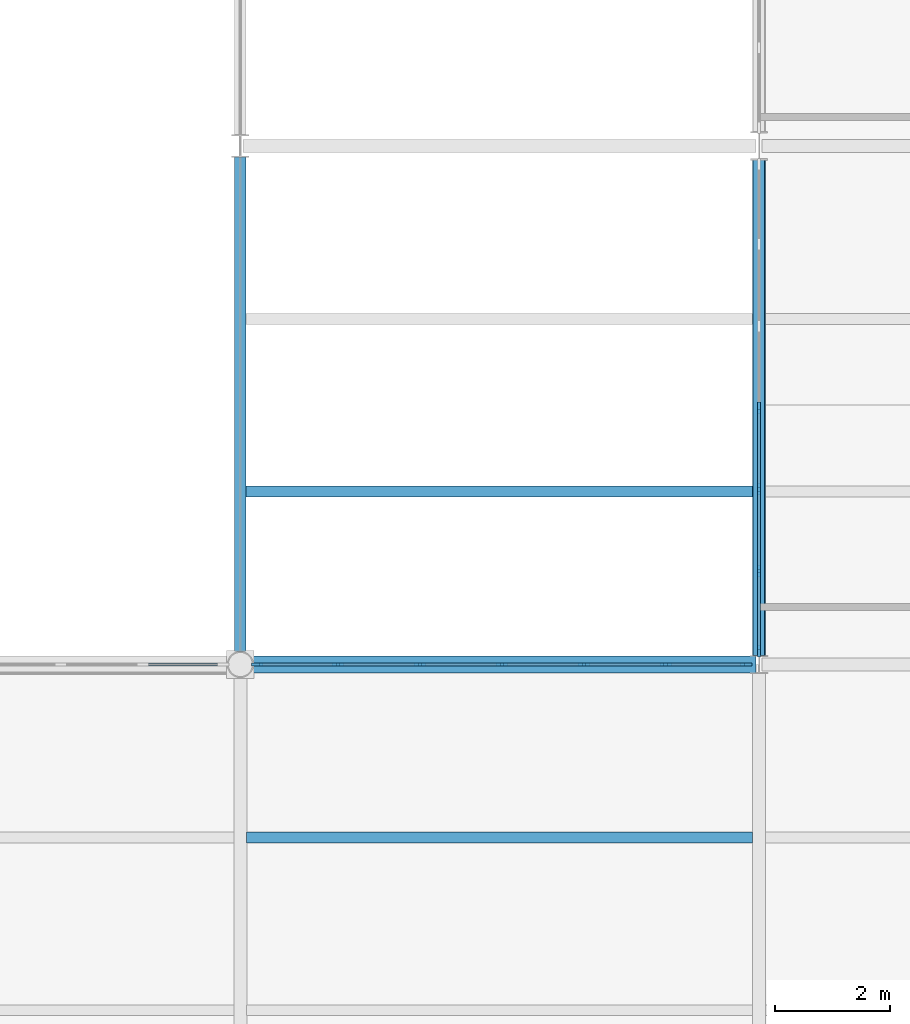
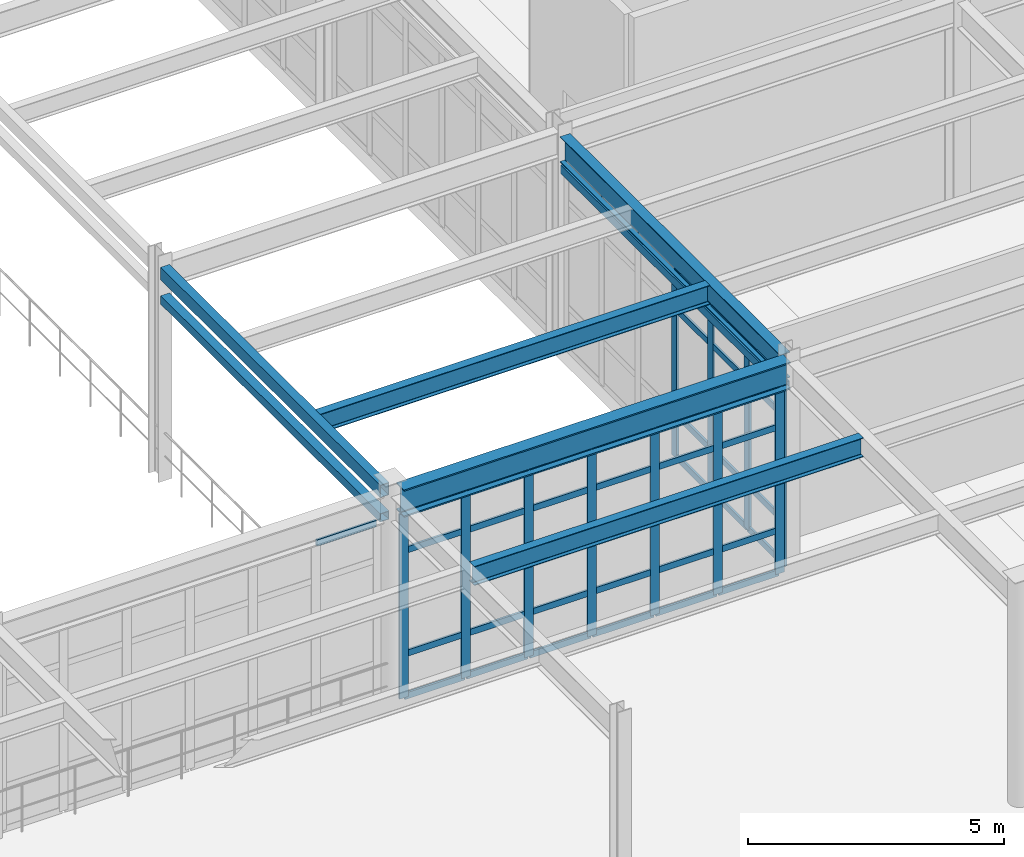
# One storey, part 26 of 79: 48 members, 7 beams, 3 elements without a shape of their own.
"""IFC4 building model written with IfcOpenShell, lengths in metres."""

from ifc_helpers import new_model, si_unit, direction, frame, origin, origin_2d, place, context, subcontext, project, spatial, rectangle, hollow_rectangle, i_section, extrude, material, material_profile, profile_set, type_object, element, aggregate, save


model = new_model("IFC4")

# Units and contexts
model_context = context("Model", 3, precision=1e-05, world=origin(), true_north=direction((0.0, 1.0)))
body_context = subcontext(model_context, "Body", "Model", "MODEL_VIEW")
ifc_project = project(units=[si_unit("LENGTHUNIT", "METRE"), si_unit("AREAUNIT", "SQUARE_METRE"), si_unit("VOLUMEUNIT", "CUBIC_METRE"), si_unit("PLANEANGLEUNIT", "RADIAN"), si_unit("MASSUNIT", "GRAM", prefix="KILO")], contexts=[model_context])

# Site, building, storey
site_placement = place(None, origin())
site = spatial("IfcSite", under=ifc_project, at=site_placement, CompositionType="ELEMENT")
building_placement = place(site_placement, origin())
building = spatial("IfcBuilding", under=site, at=building_placement, Name="Glasvene Arena", CompositionType="ELEMENT")
storey_placement = place(building_placement, origin())
storey = spatial("IfcBuildingStorey", under=building, at=storey_placement, Name="L00", CompositionType="ELEMENT", Elevation=0.0)

# Beams
ifc_material_1 = material(Name="Steel S355J2", Category="steel")
ifc_material_profile_1 = material_profile(ifc_material_1, i_section(OverallWidth=0.300048828125, OverallDepth=0.64990234375, WebThickness=0.01611328125, FlangeThickness=0.031005859375, FilletRadius=0.027099609375, at=origin_2d()), Name="HEB 650")
ifc_profile_set_1 = profile_set([ifc_material_profile_1], Name="Steel S355J2")
beam_type_1 = type_object("IfcBeamType", Name="BM-FOYER-CANT", PredefinedType="BEAM", material=ifc_profile_set_1)
beam_1_placement = place(storey_placement, frame((18.223388671875, 27.0, 4.794921875), z_axis=(1.0, 0.0, 0.0), x_axis=(0.0, 1.0, 0.0)))
element("IfcBeam", 1, at=beam_1_placement, inside=storey, type_object=beam_type_1, Name="Primary X girder L00-0294", PredefinedType="BEAM", context=body_context, shape_type="SweptSolid", body=[
    extrude(i_section(OverallWidth=0.300048828125, OverallDepth=0.64990234375, WebThickness=0.01611328125, FlangeThickness=0.031005859375, FilletRadius=0.027099609375, at=origin_2d()), origin(), (0.0, 0.0, 1.0), 8.7265625),
])
ifc_material_profile_2 = material_profile(ifc_material_1, i_section(OverallWidth=0.228271484375, OverallDepth=0.607666015625, WebThickness=0.010986328125, FlangeThickness=0.017333984375, FilletRadius=0.0126953125, at=origin_2d()), Name="UKB 610x229x113")
ifc_profile_set_2 = profile_set([ifc_material_profile_2], Name="Steel S355J2")
beam_type_2 = type_object("IfcBeamType", Name="BM-GIRD-610", PredefinedType="BEAM", material=ifc_profile_set_2)
beam_2_placement = place(storey_placement, frame((27.0, 27.1552734375, 4.816162109375), z_axis=(0.0, 1.0, 0.0), x_axis=(-1.0, 0.0, 0.0)))
element("IfcBeam", 2, at=beam_2_placement, inside=storey, type_object=beam_type_2, Name="Primary Y girder L00-0378", PredefinedType="BEAM", context=body_context, shape_type="SweptSolid", body=[
    extrude(i_section(OverallWidth=0.228271484375, OverallDepth=0.607666015625, WebThickness=0.010986328125, FlangeThickness=0.017333984375, FilletRadius=0.0126953125, at=origin_2d()), origin(), (0.0, 0.0, 1.0), 8.599609375),
])
ifc_material_profile_3 = material_profile(ifc_material_1, i_section(OverallWidth=0.1904296875, OverallDepth=0.45703125, WebThickness=0.009033203125, FlangeThickness=0.014404296875, FilletRadius=0.01025390625, at=origin_2d()), Name="UKB 457x191x74")
ifc_profile_set_3 = profile_set([ifc_material_profile_3], Name="Steel S355J2")
beam_type_3 = type_object("IfcBeamType", Name="BM-JOIST-457", PredefinedType="JOIST", material=ifc_profile_set_3)
beam_3_placement = place(storey_placement, frame((18.110107421875, 24.0, 4.8916015625), z_axis=(1.0, 0.0, 0.0), x_axis=(0.0, 1.0, 0.0)))
element("IfcBeam", 3, at=beam_3_placement, inside=storey, type_object=beam_type_3, Name="Composite floor joist L00-0447", PredefinedType="JOIST", context=body_context, shape_type="SweptSolid", body=[
    extrude(i_section(OverallWidth=0.1904296875, OverallDepth=0.45703125, WebThickness=0.009033203125, FlangeThickness=0.014404296875, FilletRadius=0.01025390625, at=origin_2d()), origin(), (0.0, 0.0, 1.0), 8.77978515625),
])
beam_4_placement = place(storey_placement, frame((18.095947265625, 30.0, 4.8916015625), z_axis=(1.0, 0.0, 0.0), x_axis=(0.0, 1.0, 0.0)))
element("IfcBeam", 4, at=beam_4_placement, inside=storey, type_object=beam_type_3, Name="Composite floor joist L00-0448", PredefinedType="JOIST", context=body_context, shape_type="SweptSolid", body=[
    extrude(i_section(OverallWidth=0.1904296875, OverallDepth=0.45703125, WebThickness=0.009033203125, FlangeThickness=0.014404296875, FilletRadius=0.01025390625, at=origin_2d()), origin(), (0.0, 0.0, 1.0), 8.7939453125),
])
ifc_material_profile_4 = material_profile(ifc_material_1, hollow_rectangle(XDim=0.199951171875, YDim=0.199951171875, WallThickness=0.010009765625, at=origin_2d()), Name="SHS 200x200x10.0")
ifc_profile_set_4 = profile_set([ifc_material_profile_4], Name="Steel S355J2")
beam_type_4 = type_object("IfcBeamType", Name="BM-LINTEL-200", PredefinedType="LINTEL", material=ifc_profile_set_4)
beam_5_placement = place(storey_placement, frame((18.0, 27.224609375, 4.340087890625), z_axis=(0.0, 1.0, 0.0), x_axis=(-1.0, 0.0, 0.0)))
element("IfcBeam", 5, at=beam_5_placement, inside=storey, type_object=beam_type_4, Name="Passage portal lintel L00-2-3", PredefinedType="LINTEL", context=body_context, shape_type="SweptSolid", body=[
    extrude(hollow_rectangle(XDim=0.199951171875, YDim=0.199951171875, WallThickness=0.010009765625, at=origin_2d()), origin(), (0.0, 0.0, 1.0), 8.579345703125),
])
beam_6_placement = place(storey_placement, frame((27.0, 27.15625, 4.340087890625), z_axis=(0.0, 1.0, 0.0), x_axis=(-1.0, 0.0, 0.0)))
element("IfcBeam", 6, at=beam_6_placement, inside=storey, type_object=beam_type_4, Name="Passage portal lintel L00-3-3", PredefinedType="LINTEL", context=body_context, shape_type="SweptSolid", body=[
    extrude(hollow_rectangle(XDim=0.199951171875, YDim=0.199951171875, WallThickness=0.010009765625, at=origin_2d()), origin(), (0.0, 0.0, 1.0), 8.59765625),
])
ifc_material_profile_5 = material_profile(ifc_material_1, hollow_rectangle(XDim=0.199951171875, YDim=0.300048828125, WallThickness=0.012451171875, at=origin_2d()), Name="RHS 300x200x12.5")
ifc_profile_set_5 = profile_set([ifc_material_profile_5], Name="Steel S355J2")
beam_type_5 = type_object("IfcBeamType", Name="BM-SPAND-300", PredefinedType="SPANDREL", material=ifc_profile_set_5)
beam_7_placement = place(storey_placement, frame((18.0, 27.223388671875, 4.969970703125), z_axis=(0.0, 1.0, 0.0), x_axis=(-1.0, 0.0, 0.0)))
element("IfcBeam", 7, at=beam_7_placement, inside=storey, type_object=beam_type_5, Name="Primary Y girder L00-0370", PredefinedType="SPANDREL", context=body_context, shape_type="SweptSolid", body=[
    extrude(hollow_rectangle(XDim=0.199951171875, YDim=0.300048828125, WallThickness=0.012451171875, at=origin_2d()), origin(), (0.0, 0.0, 1.0), 8.58154296875),
])

# Curtain wall, members
ifc_material_2 = material(Name="Low-emissivity laminated double glazing", Category="glass")
curtain_wall_type_1 = type_object("IfcCurtainWallType", Name="CW-FAC-L00-853x440", PredefinedType="USERDEFINED", material=ifc_material_2)
curtain_wall_1_placement = place(storey_placement, frame((18.2705078125, 27.0, 0.0)))
curtain_wall_1 = element("IfcCurtainWall", 8, at=curtain_wall_1_placement, inside=storey, type_object=curtain_wall_type_1, Name="Unitised curtain wall CW-F-L00-180-225-270-80", ObjectType="CURTAIN WALL", PredefinedType="USERDEFINED")
ifc_material_3 = material(Name="Anodised architectural aluminium", Category="aluminium")
ifc_material_profile_6 = material_profile(ifc_material_3, rectangle(XDim=0.050048828125, YDim=0.199951171875, at=origin_2d()), Name="ALU MULLION 50x200")
ifc_profile_set_6 = profile_set([ifc_material_profile_6], Name="Anodised architectural aluminium")
member_type_1 = type_object("IfcMemberType", Name="CW-MUL-180", PredefinedType="MULLION", material=ifc_profile_set_6)
member_1_placement = place(storey_placement, frame((18.29541015625, 27.0, 0.06005859375), z_axis=(0.0, 0.0, 1.0), x_axis=(0.0, 1.0, 0.0)))
member_1 = element("IfcMember", 9, at=member_1_placement, type_object=member_type_1, Name="CW-003 mullion 1", PredefinedType="MULLION", context=body_context, shape_type="SweptSolid", body=[
    extrude(rectangle(XDim=0.050048828125, YDim=0.199951171875, at=origin_2d()), origin(), (0.0, 0.0, 1.0), 4.405029296875),
])
member_2_placement = place(storey_placement, frame((19.692626953125, 27.0, 0.06005859375), z_axis=(0.0, 0.0, 1.0), x_axis=(0.0, 1.0, 0.0)))
member_2 = element("IfcMember", 10, at=member_2_placement, type_object=member_type_1, Name="CW-003 mullion 2", PredefinedType="MULLION", context=body_context, shape_type="SweptSolid", body=[
    extrude(rectangle(XDim=0.050048828125, YDim=0.199951171875, at=origin_2d()), origin(), (0.0, 0.0, 1.0), 4.405029296875),
])
member_3_placement = place(storey_placement, frame((21.11474609375, 27.0, 0.06005859375), z_axis=(0.0, 0.0, 1.0), x_axis=(0.0, 1.0, 0.0)))
member_3 = element("IfcMember", 11, at=member_3_placement, type_object=member_type_1, Name="CW-003 mullion 3", PredefinedType="MULLION", context=body_context, shape_type="SweptSolid", body=[
    extrude(rectangle(XDim=0.050048828125, YDim=0.199951171875, at=origin_2d()), origin(), (0.0, 0.0, 1.0), 4.405029296875),
])
member_4_placement = place(storey_placement, frame((22.536865234375, 27.0, 0.06005859375), z_axis=(0.0, 0.0, 1.0), x_axis=(0.0, 1.0, 0.0)))
member_4 = element("IfcMember", 12, at=member_4_placement, type_object=member_type_1, Name="CW-003 mullion 4", PredefinedType="MULLION", context=body_context, shape_type="SweptSolid", body=[
    extrude(rectangle(XDim=0.050048828125, YDim=0.199951171875, at=origin_2d()), origin(), (0.0, 0.0, 1.0), 4.405029296875),
])
member_5_placement = place(storey_placement, frame((23.958984375, 27.0, 0.06005859375), z_axis=(0.0, 0.0, 1.0), x_axis=(0.0, 1.0, 0.0)))
member_5 = element("IfcMember", 13, at=member_5_placement, type_object=member_type_1, Name="CW-003 mullion 5", PredefinedType="MULLION", context=body_context, shape_type="SweptSolid", body=[
    extrude(rectangle(XDim=0.050048828125, YDim=0.199951171875, at=origin_2d()), origin(), (0.0, 0.0, 1.0), 4.405029296875),
])
member_6_placement = place(storey_placement, frame((25.38134765625, 27.0, 0.06005859375), z_axis=(0.0, 0.0, 1.0), x_axis=(0.0, 1.0, 0.0)))
member_6 = element("IfcMember", 14, at=member_6_placement, type_object=member_type_1, Name="CW-003 mullion 6", PredefinedType="MULLION", context=body_context, shape_type="SweptSolid", body=[
    extrude(rectangle(XDim=0.050048828125, YDim=0.199951171875, at=origin_2d()), origin(), (0.0, 0.0, 1.0), 4.405029296875),
])
member_7_placement = place(storey_placement, frame((26.7783203125, 27.0, 0.06005859375), z_axis=(0.0, 0.0, 1.0), x_axis=(0.0, 1.0, 0.0)))
member_7 = element("IfcMember", 15, at=member_7_placement, type_object=member_type_1, Name="CW-003 mullion 7", PredefinedType="MULLION", context=body_context, shape_type="SweptSolid", body=[
    extrude(rectangle(XDim=0.050048828125, YDim=0.199951171875, at=origin_2d()), origin(), (0.0, 0.0, 1.0), 4.405029296875),
])

curtain_wall_type_2 = type_object("IfcCurtainWallType", Name="CW-FAC-L00-851x445", PredefinedType="USERDEFINED", material=ifc_material_2)
curtain_wall_2_placement = place(storey_placement, frame((27.0, 27.202392578125, 0.0)))
curtain_wall_2 = element("IfcCurtainWall", 16, at=curtain_wall_2_placement, inside=storey, type_object=curtain_wall_type_2, Name="Unitised curtain wall CW-F-L00-180-270-315-81", ObjectType="CURTAIN WALL", PredefinedType="USERDEFINED")
member_8_placement = place(storey_placement, frame((27.0, 27.227294921875, 0.06005859375), z_axis=(0.0, 0.0, 1.0), x_axis=(-1.0, 0.0, 0.0)))
member_8 = element("IfcMember", 17, at=member_8_placement, type_object=member_type_1, Name="CW-004 mullion 1", PredefinedType="MULLION", context=body_context, shape_type="SweptSolid", body=[
    extrude(rectangle(XDim=0.050048828125, YDim=0.199951171875, at=origin_2d()), origin(), (0.0, 0.0, 1.0), 4.447021484375),
])
member_9_placement = place(storey_placement, frame((27.0, 28.619873046875, 0.06005859375), z_axis=(0.0, 0.0, 1.0), x_axis=(-1.0, 0.0, 0.0)))
member_9 = element("IfcMember", 18, at=member_9_placement, type_object=member_type_1, Name="CW-004 mullion 2", PredefinedType="MULLION", context=body_context, shape_type="SweptSolid", body=[
    extrude(rectangle(XDim=0.050048828125, YDim=0.199951171875, at=origin_2d()), origin(), (0.0, 0.0, 1.0), 4.447021484375),
])
member_10_placement = place(storey_placement, frame((27.0, 30.03759765625, 0.06005859375), z_axis=(0.0, 0.0, 1.0), x_axis=(-1.0, 0.0, 0.0)))
member_10 = element("IfcMember", 19, at=member_10_placement, type_object=member_type_1, Name="CW-004 mullion 3", PredefinedType="MULLION", context=body_context, shape_type="SweptSolid", body=[
    extrude(rectangle(XDim=0.050048828125, YDim=0.199951171875, at=origin_2d()), origin(), (0.0, 0.0, 1.0), 4.447021484375),
])
member_11_placement = place(storey_placement, frame((27.0, 31.455078125, 0.06005859375), z_axis=(0.0, 0.0, 1.0), x_axis=(-1.0, 0.0, 0.0)))
member_11 = element("IfcMember", 20, at=member_11_placement, type_object=member_type_1, Name="CW-004 mullion 4", PredefinedType="MULLION", context=body_context, shape_type="SweptSolid", body=[
    extrude(rectangle(XDim=0.050048828125, YDim=0.199951171875, at=origin_2d()), origin(), (0.0, 0.0, 1.0), 4.447021484375),
])

# Curtain wall, member
curtain_wall_3_placement = place(storey_placement, frame((9.196533203125, 27.0, 0.0)))
curtain_wall_3 = element("IfcCurtainWall", 21, at=curtain_wall_3_placement, inside=storey, type_object=curtain_wall_type_1, Name="Unitised curtain wall CW-F-L00-180-135-270-79", ObjectType="CURTAIN WALL", PredefinedType="USERDEFINED")
ifc_material_profile_7 = material_profile(ifc_material_3, rectangle(XDim=0.050048828125, YDim=0.14990234375, at=origin_2d()), Name="ALU TRANSOM 50x150")
ifc_profile_set_7 = profile_set([ifc_material_profile_7], Name="Anodised architectural aluminium")
member_type_2 = type_object("IfcMemberType", Name="CW-TRN-150", PredefinedType="USERDEFINED", material=ifc_profile_set_7)
member_12_placement = place(storey_placement, frame((16.332275390625, 27.0, 4.43994140625), z_axis=(1.0, 0.0, 0.0), x_axis=(0.0, 1.0, 0.0)))
member_12 = element("IfcMember", 22, at=member_12_placement, type_object=member_type_2, Name="CW-003 transom 6.4", ObjectType="TRANSOM", PredefinedType="USERDEFINED", context=body_context, shape_type="SweptSolid", body=[
    extrude(rectangle(XDim=0.050048828125, YDim=0.14990234375, at=origin_2d()), origin(), (0.0, 0.0, 1.0), 1.34716796875),
])
aggregate(curtain_wall_3, [member_12])

# Member
member_13_placement = place(storey_placement, frame((18.320556640625, 27.0, 0.0849609375), z_axis=(1.0, 0.0, 0.0), x_axis=(0.0, 1.0, 0.0)))
member_13 = element("IfcMember", 23, at=member_13_placement, type_object=member_type_2, Name="CW-003 transom 1.1", ObjectType="TRANSOM", PredefinedType="USERDEFINED", context=body_context, shape_type="SweptSolid", body=[
    extrude(rectangle(XDim=0.050048828125, YDim=0.14990234375, at=origin_2d()), origin(), (0.0, 0.0, 1.0), 1.34716796875),
])

member_14_placement = place(storey_placement, frame((18.320556640625, 27.0, 1.10009765625), z_axis=(1.0, 0.0, 0.0), x_axis=(0.0, 1.0, 0.0)))
member_14 = element("IfcMember", 24, at=member_14_placement, type_object=member_type_2, Name="CW-003 transom 1.2", ObjectType="TRANSOM", PredefinedType="USERDEFINED", context=body_context, shape_type="SweptSolid", body=[
    extrude(rectangle(XDim=0.050048828125, YDim=0.14990234375, at=origin_2d()), origin(), (0.0, 0.0, 1.0), 1.34716796875),
])

member_15_placement = place(storey_placement, frame((18.320556640625, 27.0, 3.56494140625), z_axis=(1.0, 0.0, 0.0), x_axis=(0.0, 1.0, 0.0)))
member_15 = element("IfcMember", 25, at=member_15_placement, type_object=member_type_2, Name="CW-003 transom 1.3", ObjectType="TRANSOM", PredefinedType="USERDEFINED", context=body_context, shape_type="SweptSolid", body=[
    extrude(rectangle(XDim=0.050048828125, YDim=0.14990234375, at=origin_2d()), origin(), (0.0, 0.0, 1.0), 1.34716796875),
])

member_16_placement = place(storey_placement, frame((18.320556640625, 27.0, 4.43994140625), z_axis=(1.0, 0.0, 0.0), x_axis=(0.0, 1.0, 0.0)))
member_16 = element("IfcMember", 26, at=member_16_placement, type_object=member_type_2, Name="CW-003 transom 1.4", ObjectType="TRANSOM", PredefinedType="USERDEFINED", context=body_context, shape_type="SweptSolid", body=[
    extrude(rectangle(XDim=0.050048828125, YDim=0.14990234375, at=origin_2d()), origin(), (0.0, 0.0, 1.0), 1.34716796875),
])

member_17_placement = place(storey_placement, frame((19.717529296875, 27.0, 0.0849609375), z_axis=(1.0, 0.0, 0.0), x_axis=(0.0, 1.0, 0.0)))
member_17 = element("IfcMember", 27, at=member_17_placement, type_object=member_type_2, Name="CW-003 transom 2.1", ObjectType="TRANSOM", PredefinedType="USERDEFINED", context=body_context, shape_type="SweptSolid", body=[
    extrude(rectangle(XDim=0.050048828125, YDim=0.14990234375, at=origin_2d()), origin(), (0.0, 0.0, 1.0), 1.372314453125),
])

member_18_placement = place(storey_placement, frame((19.717529296875, 27.0, 1.10009765625), z_axis=(1.0, 0.0, 0.0), x_axis=(0.0, 1.0, 0.0)))
member_18 = element("IfcMember", 28, at=member_18_placement, type_object=member_type_2, Name="CW-003 transom 2.2", ObjectType="TRANSOM", PredefinedType="USERDEFINED", context=body_context, shape_type="SweptSolid", body=[
    extrude(rectangle(XDim=0.050048828125, YDim=0.14990234375, at=origin_2d()), origin(), (0.0, 0.0, 1.0), 1.372314453125),
])

member_19_placement = place(storey_placement, frame((19.717529296875, 27.0, 3.56494140625), z_axis=(1.0, 0.0, 0.0), x_axis=(0.0, 1.0, 0.0)))
member_19 = element("IfcMember", 29, at=member_19_placement, type_object=member_type_2, Name="CW-003 transom 2.3", ObjectType="TRANSOM", PredefinedType="USERDEFINED", context=body_context, shape_type="SweptSolid", body=[
    extrude(rectangle(XDim=0.050048828125, YDim=0.14990234375, at=origin_2d()), origin(), (0.0, 0.0, 1.0), 1.372314453125),
])

member_20_placement = place(storey_placement, frame((19.717529296875, 27.0, 4.43994140625), z_axis=(1.0, 0.0, 0.0), x_axis=(0.0, 1.0, 0.0)))
member_20 = element("IfcMember", 30, at=member_20_placement, type_object=member_type_2, Name="CW-003 transom 2.4", ObjectType="TRANSOM", PredefinedType="USERDEFINED", context=body_context, shape_type="SweptSolid", body=[
    extrude(rectangle(XDim=0.050048828125, YDim=0.14990234375, at=origin_2d()), origin(), (0.0, 0.0, 1.0), 1.372314453125),
])

member_21_placement = place(storey_placement, frame((21.139892578125, 27.0, 0.0849609375), z_axis=(1.0, 0.0, 0.0), x_axis=(0.0, 1.0, 0.0)))
member_21 = element("IfcMember", 31, at=member_21_placement, type_object=member_type_2, Name="CW-003 transom 3.1", ObjectType="TRANSOM", PredefinedType="USERDEFINED", context=body_context, shape_type="SweptSolid", body=[
    extrude(rectangle(XDim=0.050048828125, YDim=0.14990234375, at=origin_2d()), origin(), (0.0, 0.0, 1.0), 1.3720703125),
])

member_22_placement = place(storey_placement, frame((21.139892578125, 27.0, 1.10009765625), z_axis=(1.0, 0.0, 0.0), x_axis=(0.0, 1.0, 0.0)))
member_22 = element("IfcMember", 32, at=member_22_placement, type_object=member_type_2, Name="CW-003 transom 3.2", ObjectType="TRANSOM", PredefinedType="USERDEFINED", context=body_context, shape_type="SweptSolid", body=[
    extrude(rectangle(XDim=0.050048828125, YDim=0.14990234375, at=origin_2d()), origin(), (0.0, 0.0, 1.0), 1.3720703125),
])

member_23_placement = place(storey_placement, frame((21.139892578125, 27.0, 3.56494140625), z_axis=(1.0, 0.0, 0.0), x_axis=(0.0, 1.0, 0.0)))
member_23 = element("IfcMember", 33, at=member_23_placement, type_object=member_type_2, Name="CW-003 transom 3.3", ObjectType="TRANSOM", PredefinedType="USERDEFINED", context=body_context, shape_type="SweptSolid", body=[
    extrude(rectangle(XDim=0.050048828125, YDim=0.14990234375, at=origin_2d()), origin(), (0.0, 0.0, 1.0), 1.3720703125),
])

member_24_placement = place(storey_placement, frame((21.139892578125, 27.0, 4.43994140625), z_axis=(1.0, 0.0, 0.0), x_axis=(0.0, 1.0, 0.0)))
member_24 = element("IfcMember", 34, at=member_24_placement, type_object=member_type_2, Name="CW-003 transom 3.4", ObjectType="TRANSOM", PredefinedType="USERDEFINED", context=body_context, shape_type="SweptSolid", body=[
    extrude(rectangle(XDim=0.050048828125, YDim=0.14990234375, at=origin_2d()), origin(), (0.0, 0.0, 1.0), 1.3720703125),
])

member_25_placement = place(storey_placement, frame((22.56201171875, 27.0, 0.0849609375), z_axis=(1.0, 0.0, 0.0), x_axis=(0.0, 1.0, 0.0)))
member_25 = element("IfcMember", 35, at=member_25_placement, type_object=member_type_2, Name="CW-003 transom 4.1", ObjectType="TRANSOM", PredefinedType="USERDEFINED", context=body_context, shape_type="SweptSolid", body=[
    extrude(rectangle(XDim=0.050048828125, YDim=0.14990234375, at=origin_2d()), origin(), (0.0, 0.0, 1.0), 1.3720703125),
])

member_26_placement = place(storey_placement, frame((22.56201171875, 27.0, 1.10009765625), z_axis=(1.0, 0.0, 0.0), x_axis=(0.0, 1.0, 0.0)))
member_26 = element("IfcMember", 36, at=member_26_placement, type_object=member_type_2, Name="CW-003 transom 4.2", ObjectType="TRANSOM", PredefinedType="USERDEFINED", context=body_context, shape_type="SweptSolid", body=[
    extrude(rectangle(XDim=0.050048828125, YDim=0.14990234375, at=origin_2d()), origin(), (0.0, 0.0, 1.0), 1.3720703125),
])

member_27_placement = place(storey_placement, frame((22.56201171875, 27.0, 3.56494140625), z_axis=(1.0, 0.0, 0.0), x_axis=(0.0, 1.0, 0.0)))
member_27 = element("IfcMember", 37, at=member_27_placement, type_object=member_type_2, Name="CW-003 transom 4.3", ObjectType="TRANSOM", PredefinedType="USERDEFINED", context=body_context, shape_type="SweptSolid", body=[
    extrude(rectangle(XDim=0.050048828125, YDim=0.14990234375, at=origin_2d()), origin(), (0.0, 0.0, 1.0), 1.3720703125),
])

member_28_placement = place(storey_placement, frame((22.56201171875, 27.0, 4.43994140625), z_axis=(1.0, 0.0, 0.0), x_axis=(0.0, 1.0, 0.0)))
member_28 = element("IfcMember", 38, at=member_28_placement, type_object=member_type_2, Name="CW-003 transom 4.4", ObjectType="TRANSOM", PredefinedType="USERDEFINED", context=body_context, shape_type="SweptSolid", body=[
    extrude(rectangle(XDim=0.050048828125, YDim=0.14990234375, at=origin_2d()), origin(), (0.0, 0.0, 1.0), 1.3720703125),
])

member_29_placement = place(storey_placement, frame((23.984130859375, 27.0, 0.0849609375), z_axis=(1.0, 0.0, 0.0), x_axis=(0.0, 1.0, 0.0)))
member_29 = element("IfcMember", 39, at=member_29_placement, type_object=member_type_2, Name="CW-003 transom 5.1", ObjectType="TRANSOM", PredefinedType="USERDEFINED", context=body_context, shape_type="SweptSolid", body=[
    extrude(rectangle(XDim=0.050048828125, YDim=0.14990234375, at=origin_2d()), origin(), (0.0, 0.0, 1.0), 1.3720703125),
])

member_30_placement = place(storey_placement, frame((23.984130859375, 27.0, 1.10009765625), z_axis=(1.0, 0.0, 0.0), x_axis=(0.0, 1.0, 0.0)))
member_30 = element("IfcMember", 40, at=member_30_placement, type_object=member_type_2, Name="CW-003 transom 5.2", ObjectType="TRANSOM", PredefinedType="USERDEFINED", context=body_context, shape_type="SweptSolid", body=[
    extrude(rectangle(XDim=0.050048828125, YDim=0.14990234375, at=origin_2d()), origin(), (0.0, 0.0, 1.0), 1.3720703125),
])

member_31_placement = place(storey_placement, frame((23.984130859375, 27.0, 3.56494140625), z_axis=(1.0, 0.0, 0.0), x_axis=(0.0, 1.0, 0.0)))
member_31 = element("IfcMember", 41, at=member_31_placement, type_object=member_type_2, Name="CW-003 transom 5.3", ObjectType="TRANSOM", PredefinedType="USERDEFINED", context=body_context, shape_type="SweptSolid", body=[
    extrude(rectangle(XDim=0.050048828125, YDim=0.14990234375, at=origin_2d()), origin(), (0.0, 0.0, 1.0), 1.3720703125),
])

member_32_placement = place(storey_placement, frame((23.984130859375, 27.0, 4.43994140625), z_axis=(1.0, 0.0, 0.0), x_axis=(0.0, 1.0, 0.0)))
member_32 = element("IfcMember", 42, at=member_32_placement, type_object=member_type_2, Name="CW-003 transom 5.4", ObjectType="TRANSOM", PredefinedType="USERDEFINED", context=body_context, shape_type="SweptSolid", body=[
    extrude(rectangle(XDim=0.050048828125, YDim=0.14990234375, at=origin_2d()), origin(), (0.0, 0.0, 1.0), 1.3720703125),
])

member_33_placement = place(storey_placement, frame((25.40625, 27.0, 0.0849609375), z_axis=(1.0, 0.0, 0.0), x_axis=(0.0, 1.0, 0.0)))
member_33 = element("IfcMember", 43, at=member_33_placement, type_object=member_type_2, Name="CW-003 transom 6.1", ObjectType="TRANSOM", PredefinedType="USERDEFINED", context=body_context, shape_type="SweptSolid", body=[
    extrude(rectangle(XDim=0.050048828125, YDim=0.14990234375, at=origin_2d()), origin(), (0.0, 0.0, 1.0), 1.34716796875),
])

member_34_placement = place(storey_placement, frame((25.40625, 27.0, 1.10009765625), z_axis=(1.0, 0.0, 0.0), x_axis=(0.0, 1.0, 0.0)))
member_34 = element("IfcMember", 44, at=member_34_placement, type_object=member_type_2, Name="CW-003 transom 6.2", ObjectType="TRANSOM", PredefinedType="USERDEFINED", context=body_context, shape_type="SweptSolid", body=[
    extrude(rectangle(XDim=0.050048828125, YDim=0.14990234375, at=origin_2d()), origin(), (0.0, 0.0, 1.0), 1.34716796875),
])

member_35_placement = place(storey_placement, frame((25.40625, 27.0, 3.56494140625), z_axis=(1.0, 0.0, 0.0), x_axis=(0.0, 1.0, 0.0)))
member_35 = element("IfcMember", 45, at=member_35_placement, type_object=member_type_2, Name="CW-003 transom 6.3", ObjectType="TRANSOM", PredefinedType="USERDEFINED", context=body_context, shape_type="SweptSolid", body=[
    extrude(rectangle(XDim=0.050048828125, YDim=0.14990234375, at=origin_2d()), origin(), (0.0, 0.0, 1.0), 1.34716796875),
])

member_36_placement = place(storey_placement, frame((25.40625, 27.0, 4.43994140625), z_axis=(1.0, 0.0, 0.0), x_axis=(0.0, 1.0, 0.0)))
member_36 = element("IfcMember", 46, at=member_36_placement, type_object=member_type_2, Name="CW-003 transom 6.4", ObjectType="TRANSOM", PredefinedType="USERDEFINED", context=body_context, shape_type="SweptSolid", body=[
    extrude(rectangle(XDim=0.050048828125, YDim=0.14990234375, at=origin_2d()), origin(), (0.0, 0.0, 1.0), 1.34716796875),
])

aggregate(curtain_wall_1, [member_1, member_2, member_3, member_4, member_5, member_6, member_7, member_13, member_14, member_15, member_16, member_17, member_18, member_19, member_20, member_21, member_22, member_23, member_24, member_25, member_26, member_27, member_28, member_29, member_30, member_31, member_32, member_33, member_34, member_35, member_36])

member_37_placement = place(storey_placement, frame((27.0, 27.252197265625, 0.0849609375), z_axis=(0.0, 1.0, 0.0), x_axis=(-1.0, 0.0, 0.0)))
member_37 = element("IfcMember", 47, at=member_37_placement, type_object=member_type_2, Name="CW-004 transom 1.1", ObjectType="TRANSOM", PredefinedType="USERDEFINED", context=body_context, shape_type="SweptSolid", body=[
    extrude(rectangle(XDim=0.050048828125, YDim=0.14990234375, at=origin_2d()), origin(), (0.0, 0.0, 1.0), 1.3427734375),
])

member_38_placement = place(storey_placement, frame((27.0, 27.252197265625, 1.10009765625), z_axis=(0.0, 1.0, 0.0), x_axis=(-1.0, 0.0, 0.0)))
member_38 = element("IfcMember", 48, at=member_38_placement, type_object=member_type_2, Name="CW-004 transom 1.2", ObjectType="TRANSOM", PredefinedType="USERDEFINED", context=body_context, shape_type="SweptSolid", body=[
    extrude(rectangle(XDim=0.050048828125, YDim=0.14990234375, at=origin_2d()), origin(), (0.0, 0.0, 1.0), 1.3427734375),
])

member_39_placement = place(storey_placement, frame((27.0, 27.252197265625, 3.60693359375), z_axis=(0.0, 1.0, 0.0), x_axis=(-1.0, 0.0, 0.0)))
member_39 = element("IfcMember", 49, at=member_39_placement, type_object=member_type_2, Name="CW-004 transom 1.3", ObjectType="TRANSOM", PredefinedType="USERDEFINED", context=body_context, shape_type="SweptSolid", body=[
    extrude(rectangle(XDim=0.050048828125, YDim=0.14990234375, at=origin_2d()), origin(), (0.0, 0.0, 1.0), 1.3427734375),
])

member_40_placement = place(storey_placement, frame((27.0, 27.252197265625, 4.48193359375), z_axis=(0.0, 1.0, 0.0), x_axis=(-1.0, 0.0, 0.0)))
member_40 = element("IfcMember", 50, at=member_40_placement, type_object=member_type_2, Name="CW-004 transom 1.4", ObjectType="TRANSOM", PredefinedType="USERDEFINED", context=body_context, shape_type="SweptSolid", body=[
    extrude(rectangle(XDim=0.050048828125, YDim=0.14990234375, at=origin_2d()), origin(), (0.0, 0.0, 1.0), 1.3427734375),
])

member_41_placement = place(storey_placement, frame((27.0, 28.64501953125, 0.0849609375), z_axis=(0.0, 1.0, 0.0), x_axis=(-1.0, 0.0, 0.0)))
member_41 = element("IfcMember", 51, at=member_41_placement, type_object=member_type_2, Name="CW-004 transom 2.1", ObjectType="TRANSOM", PredefinedType="USERDEFINED", context=body_context, shape_type="SweptSolid", body=[
    extrude(rectangle(XDim=0.050048828125, YDim=0.14990234375, at=origin_2d()), origin(), (0.0, 0.0, 1.0), 1.367431640625),
])

member_42_placement = place(storey_placement, frame((27.0, 28.64501953125, 1.10009765625), z_axis=(0.0, 1.0, 0.0), x_axis=(-1.0, 0.0, 0.0)))
member_42 = element("IfcMember", 52, at=member_42_placement, type_object=member_type_2, Name="CW-004 transom 2.2", ObjectType="TRANSOM", PredefinedType="USERDEFINED", context=body_context, shape_type="SweptSolid", body=[
    extrude(rectangle(XDim=0.050048828125, YDim=0.14990234375, at=origin_2d()), origin(), (0.0, 0.0, 1.0), 1.367431640625),
])

member_43_placement = place(storey_placement, frame((27.0, 28.64501953125, 3.60693359375), z_axis=(0.0, 1.0, 0.0), x_axis=(-1.0, 0.0, 0.0)))
member_43 = element("IfcMember", 53, at=member_43_placement, type_object=member_type_2, Name="CW-004 transom 2.3", ObjectType="TRANSOM", PredefinedType="USERDEFINED", context=body_context, shape_type="SweptSolid", body=[
    extrude(rectangle(XDim=0.050048828125, YDim=0.14990234375, at=origin_2d()), origin(), (0.0, 0.0, 1.0), 1.367431640625),
])

member_44_placement = place(storey_placement, frame((27.0, 28.64501953125, 4.48193359375), z_axis=(0.0, 1.0, 0.0), x_axis=(-1.0, 0.0, 0.0)))
member_44 = element("IfcMember", 54, at=member_44_placement, type_object=member_type_2, Name="CW-004 transom 2.4", ObjectType="TRANSOM", PredefinedType="USERDEFINED", context=body_context, shape_type="SweptSolid", body=[
    extrude(rectangle(XDim=0.050048828125, YDim=0.14990234375, at=origin_2d()), origin(), (0.0, 0.0, 1.0), 1.367431640625),
])

member_45_placement = place(storey_placement, frame((27.0, 30.0625, 0.0849609375), z_axis=(0.0, 1.0, 0.0), x_axis=(-1.0, 0.0, 0.0)))
member_45 = element("IfcMember", 55, at=member_45_placement, type_object=member_type_2, Name="CW-004 transom 3.1", ObjectType="TRANSOM", PredefinedType="USERDEFINED", context=body_context, shape_type="SweptSolid", body=[
    extrude(rectangle(XDim=0.050048828125, YDim=0.14990234375, at=origin_2d()), origin(), (0.0, 0.0, 1.0), 1.36767578125),
])

member_46_placement = place(storey_placement, frame((27.0, 30.0625, 1.10009765625), z_axis=(0.0, 1.0, 0.0), x_axis=(-1.0, 0.0, 0.0)))
member_46 = element("IfcMember", 56, at=member_46_placement, type_object=member_type_2, Name="CW-004 transom 3.2", ObjectType="TRANSOM", PredefinedType="USERDEFINED", context=body_context, shape_type="SweptSolid", body=[
    extrude(rectangle(XDim=0.050048828125, YDim=0.14990234375, at=origin_2d()), origin(), (0.0, 0.0, 1.0), 1.36767578125),
])

member_47_placement = place(storey_placement, frame((27.0, 30.0625, 3.60693359375), z_axis=(0.0, 1.0, 0.0), x_axis=(-1.0, 0.0, 0.0)))
member_47 = element("IfcMember", 57, at=member_47_placement, type_object=member_type_2, Name="CW-004 transom 3.3", ObjectType="TRANSOM", PredefinedType="USERDEFINED", context=body_context, shape_type="SweptSolid", body=[
    extrude(rectangle(XDim=0.050048828125, YDim=0.14990234375, at=origin_2d()), origin(), (0.0, 0.0, 1.0), 1.36767578125),
])

member_48_placement = place(storey_placement, frame((27.0, 30.0625, 4.48193359375), z_axis=(0.0, 1.0, 0.0), x_axis=(-1.0, 0.0, 0.0)))
member_48 = element("IfcMember", 58, at=member_48_placement, type_object=member_type_2, Name="CW-004 transom 3.4", ObjectType="TRANSOM", PredefinedType="USERDEFINED", context=body_context, shape_type="SweptSolid", body=[
    extrude(rectangle(XDim=0.050048828125, YDim=0.14990234375, at=origin_2d()), origin(), (0.0, 0.0, 1.0), 1.36767578125),
])

aggregate(curtain_wall_2, [member_8, member_9, member_10, member_11, member_37, member_38, member_39, member_40, member_41, member_42, member_43, member_44, member_45, member_46, member_47, member_48])

save(model, "model.ifc")
